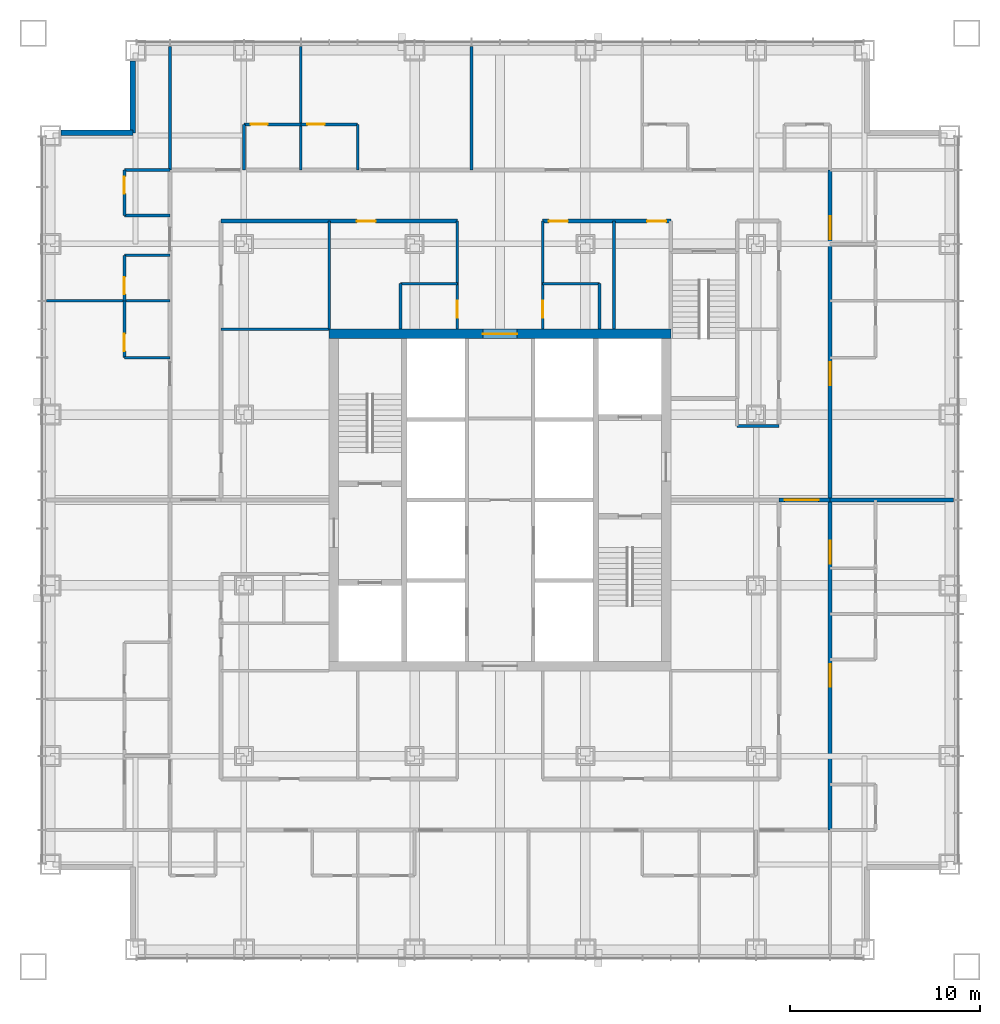
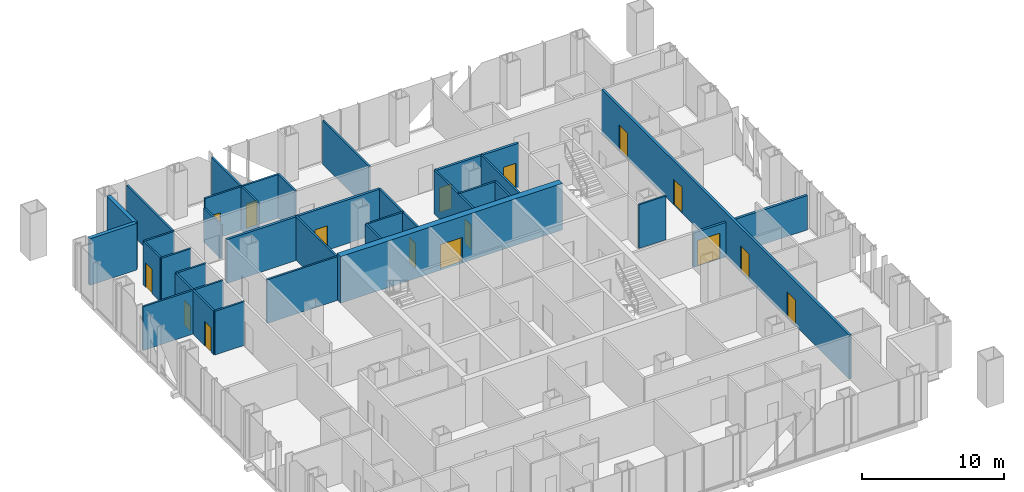
# One storey, part 11 of 18: 33 walls, 16 doors, 16 openings.
"""IFC4 building model written with IfcOpenShell, lengths in metres."""

from ifc_helpers import new_model, si_unit, direction, frame, frame_2d, origin, place, context, subcontext, project, spatial, rectangle, extrude, material, layer, layer_set, type_object, element, fill, save


model = new_model("IFC4")

# Units and contexts
model_context = context("Model", 3, precision=1e-05, world=origin(), true_north=direction((0.0, 1.0)))
body_context = subcontext(model_context, "Body", "Model", "MODEL_VIEW")
ifc_project = project(units=[si_unit("LENGTHUNIT", "METRE"), si_unit("AREAUNIT", "SQUARE_METRE"), si_unit("VOLUMEUNIT", "CUBIC_METRE"), si_unit("PLANEANGLEUNIT", "RADIAN"), si_unit("MASSUNIT", "GRAM", prefix="KILO")], contexts=[model_context])

# Site, building, storey
site_placement = place(None, origin())
site = spatial("IfcSite", under=ifc_project, at=site_placement, CompositionType="ELEMENT")
building_placement = place(site_placement, origin())
building = spatial("IfcBuilding", under=site, at=building_placement, Name="Malebo Sky Hospital", CompositionType="ELEMENT")
storey_placement = place(building_placement, frame((0.0, 0.0, 124.0)))
storey = spatial("IfcBuildingStorey", under=building, at=storey_placement, Name="L29", CompositionType="ELEMENT", Elevation=124.0)

# Wall, opening, door
ifc_material_1 = material(Name="Concrete C80/95", Category="concrete")
ifc_layer_1 = layer(ifc_material_1, 0.5)
ifc_layer_set_1 = layer_set([ifc_layer_1], Name="CORE WALL 500")
wall_type_1 = type_object("IfcWallType", Name="CORE WALL 500", PredefinedType="SHEAR", material=ifc_layer_set_1)
wall_1_placement = place(storey_placement, frame((51.0, 70.75, 0.0), z_axis=(0.0, 0.0, 1.0), x_axis=(1.0, 0.0, 0.0)))
wall_1 = element("IfcWall", 1, at=wall_1_placement, inside=storey, type_object=wall_type_1, Name="Core wall N L29", PredefinedType="SHEAR", context=body_context, shape_type="SweptSolid", body=[
    extrude(rectangle(XDim=18.0, YDim=0.5, at=frame_2d((9.0, 0.0))), origin(), (0.0, 0.0, 1.0), 4.0),
])
opening_1_placement = place(wall_1_placement, frame((8.10009765625, 0.0, 0.0)))
opening_1 = element("IfcOpeningElement", 2, at=opening_1_placement, cuts=wall_1, Name="Opening D06", PredefinedType="OPENING", context=body_context, shape_type="SweptSolid", body=[
    extrude(rectangle(XDim=1.800048828125, YDim=2.199951171875, at=frame_2d((0.89990234375, 1.10009765625))), frame((0.0, 0.260009765625, 0.0), z_axis=(0.0, -1.0, 0.0), x_axis=(1.0, 0.0, 0.0)), (0.0, 0.0, 1.0), 0.52001953125),
])
ifc_material_2 = material(Name="Hardwood-faced door leaf in steel frame", Category="steel")
door_type_1 = type_object("IfcDoorType", Name="LOBBY DOOR PAIR 1800", OperationType="DOUBLE_DOOR_SINGLE_SWING", PredefinedType="DOOR", material=ifc_material_2)
door_1_placement = place(opening_1_placement, origin())
door_1 = element("IfcDoor", 3, at=door_1_placement, inside=storey, type_object=door_type_1, Name="ward pantry door north", OperationType="DOUBLE_DOOR_SINGLE_SWING", OverallHeight=2.199951171875, OverallWidth=1.800048828125, PredefinedType="DOOR", context=body_context, shape_type="SweptSolid", body=[
    extrude(rectangle(XDim=1.800048828125, YDim=2.199951171875, at=frame_2d((0.89990234375, 1.10009765625))), frame((0.0, 0.02490234375, 0.0), z_axis=(0.0, -1.0, 0.0), x_axis=(1.0, 0.0, 0.0)), (0.0, 0.0, 1.0), 0.050048828125),
])
fill(opening_1, door_1)

ifc_material_3 = material(Name="Gypsum board on steel studs", Category="steel")
ifc_layer_2 = layer(ifc_material_3, 0.199951171875)
ifc_layer_set_2 = layer_set([ifc_layer_2], Name="CORRIDOR WALL 200")
wall_type_2 = type_object("IfcWallType", Name="CORRIDOR WALL 200", PredefinedType="PARTITIONING", material=ifc_layer_set_2)
wall_2_placement = place(storey_placement, frame((45.300048828125, 76.699951171875, 0.0), z_axis=(0.0, 0.0, 1.0), x_axis=(1.0, 0.0, 0.0)))
wall_2 = element("IfcWall", 4, at=wall_2_placement, inside=storey, type_object=wall_type_2, Name="Corridor Wall 200 NCI1", PredefinedType="PARTITIONING", context=body_context, shape_type="SweptSolid", body=[
    extrude(rectangle(XDim=12.449951171875, YDim=0.199951171875, at=frame_2d((6.22509765625, 0.0))), origin(), (0.0, 0.0, 1.0), 3.75),
])
opening_2_placement = place(wall_2_placement, frame((7.14990234375, 0.0, 0.0)))
opening_2 = element("IfcOpeningElement", 5, at=opening_2_placement, cuts=wall_2, Name="Opening D03", PredefinedType="OPENING", context=body_context, shape_type="SweptSolid", body=[
    extrude(rectangle(XDim=1.0, YDim=2.10009765625, at=frame_2d((0.5, 1.050048828125))), frame((0.0, 0.10986328125, 0.0), z_axis=(0.0, -1.0, 0.0), x_axis=(1.0, 0.0, 0.0)), (0.0, 0.0, 1.0), 0.219970703125),
])
door_type_2 = type_object("IfcDoorType", Name="ROOM DOOR 1000", OperationType="SINGLE_SWING_LEFT", PredefinedType="DOOR", material=ifc_material_2)
door_2_placement = place(opening_2_placement, origin())
door_2 = element("IfcDoor", 6, at=door_2_placement, inside=storey, type_object=door_type_2, Name="Ward pantry door", OperationType="SINGLE_SWING_LEFT", OverallHeight=2.10009765625, OverallWidth=1.0, PredefinedType="DOOR", context=body_context, shape_type="SweptSolid", body=[
    extrude(rectangle(XDim=1.0, YDim=2.10009765625, at=frame_2d((0.5, 1.050048828125))), frame((0.0, 0.02490234375, 0.0), z_axis=(0.0, -1.0, 0.0), x_axis=(1.0, 0.0, 0.0)), (0.0, 0.0, 1.0), 0.050048828125),
])
fill(opening_2, door_2)

# Wall, openings, doors
wall_3_placement = place(storey_placement, frame((62.25, 76.699951171875, 0.0), z_axis=(0.0, 0.0, 1.0), x_axis=(1.0, 0.0, 0.0)))
wall_3 = element("IfcWall", 7, at=wall_3_placement, inside=storey, type_object=wall_type_2, Name="Corridor Wall 200 NCI2", PredefinedType="PARTITIONING", context=body_context, shape_type="SweptSolid", body=[
    extrude(rectangle(XDim=6.75, YDim=0.199951171875, at=frame_2d((3.375, 0.0))), origin(), (0.0, 0.0, 1.0), 3.75),
])
opening_3_placement = place(wall_3_placement, frame((0.324951171875, 0.0, 0.0)))
opening_3 = element("IfcOpeningElement", 8, at=opening_3_placement, cuts=wall_3, Name="Opening D03", PredefinedType="OPENING", context=body_context, shape_type="SweptSolid", body=[
    extrude(rectangle(XDim=1.0, YDim=2.10009765625, at=frame_2d((0.5, 1.050048828125))), frame((0.0, 0.10986328125, 0.0), z_axis=(0.0, -1.0, 0.0), x_axis=(1.0, 0.0, 0.0)), (0.0, 0.0, 1.0), 0.219970703125),
])
opening_4_placement = place(wall_3_placement, frame((5.5, 0.0, 0.0)))
opening_4 = element("IfcOpeningElement", 9, at=opening_4_placement, cuts=wall_3, Name="Opening D03", PredefinedType="OPENING", context=body_context, shape_type="SweptSolid", body=[
    extrude(rectangle(XDim=1.0, YDim=2.10009765625, at=frame_2d((0.5, 1.050048828125))), frame((0.0, 0.10986328125, 0.0), z_axis=(0.0, -1.0, 0.0), x_axis=(1.0, 0.0, 0.0)), (0.0, 0.0, 1.0), 0.219970703125),
])
door_3_placement = place(opening_3_placement, origin())
door_3 = element("IfcDoor", 10, at=door_3_placement, inside=storey, type_object=door_type_2, Name="Medication room door", OperationType="SINGLE_SWING_LEFT", OverallHeight=2.10009765625, OverallWidth=1.0, PredefinedType="DOOR", context=body_context, shape_type="SweptSolid", body=[
    extrude(rectangle(XDim=1.0, YDim=2.10009765625, at=frame_2d((0.5, 1.050048828125))), frame((0.0, 0.02490234375, 0.0), z_axis=(0.0, -1.0, 0.0), x_axis=(1.0, 0.0, 0.0)), (0.0, 0.0, 1.0), 0.050048828125),
])
fill(opening_3, door_3)
door_4_placement = place(opening_4_placement, origin())
door_4 = element("IfcDoor", 11, at=door_4_placement, inside=storey, type_object=door_type_2, Name="Seminar room door", OperationType="SINGLE_SWING_RIGHT", OverallHeight=2.10009765625, OverallWidth=1.0, PredefinedType="DOOR", context=body_context, shape_type="SweptSolid", body=[
    extrude(rectangle(XDim=1.0, YDim=2.10009765625, at=frame_2d((0.5, 1.050048828125))), frame((0.0, 0.02490234375, 0.0), z_axis=(0.0, -1.0, 0.0), x_axis=(1.0, 0.0, 0.0)), (0.0, 0.0, 1.0), 0.050048828125),
])
fill(opening_4, door_4)

wall_4_placement = place(storey_placement, frame((77.39990234375, 79.39990234375, 0.0), z_axis=(0.0, 0.0, 1.0), x_axis=(0.0, -1.0, 0.0)))
wall_4 = element("IfcWall", 12, at=wall_4_placement, inside=storey, type_object=wall_type_2, Name="Corridor Wall 200 ECO", PredefinedType="PARTITIONING", context=body_context, shape_type="SweptSolid", body=[
    extrude(rectangle(XDim=34.7998046875, YDim=0.199951171875, at=frame_2d((17.39990234375, 0.0))), origin(), (0.0, 0.0, 1.0), 3.75),
])
opening_5_placement = place(wall_4_placement, frame((2.449951171875, 0.0, 0.0)))
opening_5 = element("IfcOpeningElement", 13, at=opening_5_placement, cuts=wall_4, Name="Opening D18", PredefinedType="OPENING", context=body_context, shape_type="SweptSolid", body=[
    extrude(rectangle(XDim=1.199951171875, YDim=2.199951171875, at=frame_2d((0.60009765625, 1.10009765625))), frame((0.0, 0.10986328125, 0.0), z_axis=(0.0, -1.0, 0.0), x_axis=(1.0, 0.0, 0.0)), (0.0, 0.0, 1.0), 0.219970703125),
])
opening_6_placement = place(wall_4_placement, frame((10.14990234375, 0.0, 0.0)))
opening_6 = element("IfcOpeningElement", 14, at=opening_6_placement, cuts=wall_4, Name="Opening D01", PredefinedType="OPENING", context=body_context, shape_type="SweptSolid", body=[
    extrude(rectangle(XDim=1.199951171875, YDim=2.199951171875, at=frame_2d((0.60009765625, 1.10009765625))), frame((0.0, 0.10986328125, 0.0), z_axis=(0.0, -1.0, 0.0), x_axis=(1.0, 0.0, 0.0)), (0.0, 0.0, 1.0), 0.219970703125),
])
opening_7_placement = place(wall_4_placement, frame((19.550048828125, 0.0, 0.0)))
opening_7 = element("IfcOpeningElement", 15, at=opening_7_placement, cuts=wall_4, Name="Opening D18", PredefinedType="OPENING", context=body_context, shape_type="SweptSolid", body=[
    extrude(rectangle(XDim=1.199951171875, YDim=2.199951171875, at=frame_2d((0.60009765625, 1.10009765625))), frame((0.0, 0.10986328125, 0.0), z_axis=(0.0, -1.0, 0.0), x_axis=(1.0, 0.0, 0.0)), (0.0, 0.0, 1.0), 0.219970703125),
])
opening_8_placement = place(wall_4_placement, frame((26.050048828125, 0.0, 0.0)))
opening_8 = element("IfcOpeningElement", 16, at=opening_8_placement, cuts=wall_4, Name="Opening D01", PredefinedType="OPENING", context=body_context, shape_type="SweptSolid", body=[
    extrude(rectangle(XDim=1.199951171875, YDim=2.199951171875, at=frame_2d((0.60009765625, 1.10009765625))), frame((0.0, 0.10986328125, 0.0), z_axis=(0.0, -1.0, 0.0), x_axis=(1.0, 0.0, 0.0)), (0.0, 0.0, 1.0), 0.219970703125),
])
door_type_3 = type_object("IfcDoorType", Name="ANTEROOM DOOR 1200", OperationType="SINGLE_SWING_LEFT", PredefinedType="DOOR", material=ifc_material_2)
door_5_placement = place(opening_5_placement, origin())
door_5 = element("IfcDoor", 17, at=door_5_placement, inside=storey, type_object=door_type_3, Name="Anteroom door", OperationType="SINGLE_SWING_RIGHT", OverallHeight=2.199951171875, OverallWidth=1.199951171875, PredefinedType="DOOR", context=body_context, shape_type="SweptSolid", body=[
    extrude(rectangle(XDim=1.199951171875, YDim=2.199951171875, at=frame_2d((0.60009765625, 1.10009765625))), frame((0.0, 0.02490234375, 0.0), z_axis=(0.0, -1.0, 0.0), x_axis=(1.0, 0.0, 0.0)), (0.0, 0.0, 1.0), 0.050048828125),
])
fill(opening_5, door_5)
door_6_placement = place(opening_7_placement, origin())
door_6 = element("IfcDoor", 18, at=door_6_placement, inside=storey, type_object=door_type_3, Name="Anteroom door", OperationType="SINGLE_SWING_RIGHT", OverallHeight=2.199951171875, OverallWidth=1.199951171875, PredefinedType="DOOR", context=body_context, shape_type="SweptSolid", body=[
    extrude(rectangle(XDim=1.199951171875, YDim=2.199951171875, at=frame_2d((0.60009765625, 1.10009765625))), frame((0.0, 0.02490234375, 0.0), z_axis=(0.0, -1.0, 0.0), x_axis=(1.0, 0.0, 0.0)), (0.0, 0.0, 1.0), 0.050048828125),
])
fill(opening_7, door_6)
door_type_4 = type_object("IfcDoorType", Name="BED DOOR 1200", OperationType="SINGLE_SWING_LEFT", PredefinedType="DOOR", material=ifc_material_2)
door_7_placement = place(opening_6_placement, origin())
door_7 = element("IfcDoor", 19, at=door_7_placement, inside=storey, type_object=door_type_4, Name="Two-bed room door", OperationType="SINGLE_SWING_LEFT", OverallHeight=2.199951171875, OverallWidth=1.199951171875, PredefinedType="DOOR", context=body_context, shape_type="SweptSolid", body=[
    extrude(rectangle(XDim=1.199951171875, YDim=2.199951171875, at=frame_2d((0.60009765625, 1.10009765625))), frame((0.0, 0.02490234375, 0.0), z_axis=(0.0, -1.0, 0.0), x_axis=(1.0, 0.0, 0.0)), (0.0, 0.0, 1.0), 0.050048828125),
])
fill(opening_6, door_7)
door_8_placement = place(opening_8_placement, origin())
door_8 = element("IfcDoor", 20, at=door_8_placement, inside=storey, type_object=door_type_4, Name="Four-bed bay door", OperationType="SINGLE_SWING_LEFT", OverallHeight=2.199951171875, OverallWidth=1.199951171875, PredefinedType="DOOR", context=body_context, shape_type="SweptSolid", body=[
    extrude(rectangle(XDim=1.199951171875, YDim=2.199951171875, at=frame_2d((0.60009765625, 1.10009765625))), frame((0.0, 0.02490234375, 0.0), z_axis=(0.0, -1.0, 0.0), x_axis=(1.0, 0.0, 0.0)), (0.0, 0.0, 1.0), 0.050048828125),
])
fill(opening_8, door_8)

# Walls
ifc_material_4 = material(Name="Anodised aluminium rainscreen on steel framing", Category="steel")
ifc_layer_3 = layer(ifc_material_4, 0.300048828125)
ifc_layer_set_3 = layer_set([ifc_layer_3], Name="NOTCH RAINSCREEN WALL 300")
wall_type_3 = type_object("IfcWallType", Name="NOTCH RAINSCREEN WALL 300", PredefinedType="ELEMENTEDWALL", material=ifc_layer_set_3)
for number, where, z_axis, x_axis, name in (
    (21, (36.85009765625, 81.35009765625, 0.0), (0.0, 0.0, 1.0), (1.0, 0.0, 0.0), "Notch rainscreen wall W1 L29"),
    (22, (40.64990234375, 81.35009765625, 0.0), (0.0, 0.0, 1.0), (0.0, 1.0, 0.0), "Notch rainscreen wall W2 L29"),
):
    element("IfcWall", number, at=place(storey_placement, frame(where, z_axis=z_axis, x_axis=x_axis)), inside=storey, type_object=wall_type_3, Name=name, PredefinedType="ELEMENTEDWALL", context=body_context, shape_type="SweptSolid", body=[
        extrude(rectangle(XDim=3.7998046875, YDim=0.300048828125, at=frame_2d((1.89990234375, 0.0))), origin(), (0.0, 0.0, 1.0), 4.0),
    ])
ifc_layer_4 = layer(ifc_material_3, 0.14990234375)
ifc_layer_set_4 = layer_set([ifc_layer_4], Name="PARTITION 150")
wall_type_4 = type_object("IfcWallType", Name="PARTITION 150", PredefinedType="PARTITIONING", material=ifc_layer_set_4)
for number, where, z_axis, x_axis, name in (
    (23, (49.5, 79.39990234375, 0.0), (0.0, 0.0, 1.0), (0.0, 1.0, 0.0), "Partition 150 NP-10.5"),
    (24, (58.5, 79.39990234375, 0.0), (0.0, 0.0, 1.0), (0.0, 1.0, 0.0), "Partition 150 NP-1.5"),
    (25, (42.60009765625, 79.39990234375, 0.0), (0.0, 0.0, 1.0), (0.0, 1.0, 0.0), "Partition 150 NP0"),
):
    element("IfcWall", number, at=place(storey_placement, frame(where, z_axis=z_axis, x_axis=x_axis)), inside=storey, type_object=wall_type_4, Name=name, PredefinedType="PARTITIONING", context=body_context, shape_type="SweptSolid", body=[
        extrude(rectangle(XDim=6.510009765625, YDim=0.14990234375, at=frame_2d((3.2548828125, 0.0))), origin(), (0.0, 0.0, 1.0), 3.75),
    ])

# Wall, opening, door
wall_5_placement = place(storey_placement, frame((46.5, 81.800048828125, 0.0), z_axis=(0.0, 0.0, 1.0), x_axis=(1.0, 0.0, 0.0)))
wall_5 = element("IfcWall", 26, at=wall_5_placement, inside=storey, type_object=wall_type_4, Name="Partition 150 NE0F", PredefinedType="PARTITIONING", context=body_context, shape_type="SweptSolid", body=[
    extrude(rectangle(XDim=3.0, YDim=0.14990234375, at=frame_2d((1.5, 0.0))), origin(), (0.0, 0.0, 1.0), 3.75),
])
opening_9_placement = place(wall_5_placement, frame((0.35009765625, 0.0, 0.0)))
opening_9 = element("IfcOpeningElement", 27, at=opening_9_placement, cuts=wall_5, Name="Opening D02", PredefinedType="OPENING", context=body_context, shape_type="SweptSolid", body=[
    extrude(rectangle(XDim=0.89990234375, YDim=2.10009765625, at=frame_2d((0.449951171875, 1.050048828125))), frame((0.0, 0.0849609375, 0.0), z_axis=(0.0, -1.0, 0.0), x_axis=(1.0, 0.0, 0.0)), (0.0, 0.0, 1.0), 0.169921875),
])
door_type_5 = type_object("IfcDoorType", Name="EN-SUITE DOOR 900", OperationType="SINGLE_SWING_LEFT", PredefinedType="DOOR", material=ifc_material_2)
door_9_placement = place(opening_9_placement, origin())
door_9 = element("IfcDoor", 28, at=door_9_placement, inside=storey, type_object=door_type_5, Name="En-suite door", OperationType="SINGLE_SWING_LEFT", OverallHeight=2.10009765625, OverallWidth=0.89990234375, PredefinedType="DOOR", context=body_context, shape_type="SweptSolid", body=[
    extrude(rectangle(XDim=0.89990234375, YDim=2.10009765625, at=frame_2d((0.449951171875, 1.050048828125))), frame((0.0, 0.02490234375, 0.0), z_axis=(0.0, -1.0, 0.0), x_axis=(1.0, 0.0, 0.0)), (0.0, 0.0, 1.0), 0.050048828125),
])
fill(opening_9, door_9)

# Wall
wall_6_placement = place(storey_placement, frame((46.5, 79.39990234375, 0.0), z_axis=(0.0, 0.0, 1.0), x_axis=(0.0, 1.0, 0.0)))
element("IfcWall", 29, at=wall_6_placement, inside=storey, type_object=wall_type_4, Name="Partition 150 NE0S", PredefinedType="PARTITIONING", context=body_context, shape_type="SweptSolid", body=[
    extrude(rectangle(XDim=2.400146484375, YDim=0.14990234375, at=frame_2d((1.2001953125, 0.0))), origin(), (0.0, 0.0, 1.0), 2.949951171875),
])

# Wall, opening, door
wall_7_placement = place(storey_placement, frame((49.5, 81.800048828125, 0.0), z_axis=(0.0, 0.0, 1.0), x_axis=(1.0, 0.0, 0.0)))
wall_7 = element("IfcWall", 30, at=wall_7_placement, inside=storey, type_object=wall_type_4, Name="Partition 150 NE1F", PredefinedType="PARTITIONING", context=body_context, shape_type="SweptSolid", body=[
    extrude(rectangle(XDim=3.0, YDim=0.14990234375, at=frame_2d((1.5, 0.0))), origin(), (0.0, 0.0, 1.0), 3.75),
])
opening_10_placement = place(wall_7_placement, frame((0.35009765625, 0.0, 0.0)))
opening_10 = element("IfcOpeningElement", 31, at=opening_10_placement, cuts=wall_7, Name="Opening D02", PredefinedType="OPENING", context=body_context, shape_type="SweptSolid", body=[
    extrude(rectangle(XDim=0.89990234375, YDim=2.10009765625, at=frame_2d((0.449951171875, 1.050048828125))), frame((0.0, 0.0849609375, 0.0), z_axis=(0.0, -1.0, 0.0), x_axis=(1.0, 0.0, 0.0)), (0.0, 0.0, 1.0), 0.169921875),
])
door_10_placement = place(opening_10_placement, origin())
door_10 = element("IfcDoor", 32, at=door_10_placement, inside=storey, type_object=door_type_5, Name="En-suite door", OperationType="SINGLE_SWING_LEFT", OverallHeight=2.10009765625, OverallWidth=0.89990234375, PredefinedType="DOOR", context=body_context, shape_type="SweptSolid", body=[
    extrude(rectangle(XDim=0.89990234375, YDim=2.10009765625, at=frame_2d((0.449951171875, 1.050048828125))), frame((0.0, 0.02490234375, 0.0), z_axis=(0.0, -1.0, 0.0), x_axis=(1.0, 0.0, 0.0)), (0.0, 0.0, 1.0), 0.050048828125),
])
fill(opening_10, door_10)

# Walls
wall_8_placement = place(storey_placement, frame((52.5, 79.39990234375, 0.0), z_axis=(0.0, 0.0, 1.0), x_axis=(0.0, 1.0, 0.0)))
element("IfcWall", 33, at=wall_8_placement, inside=storey, type_object=wall_type_4, Name="Partition 150 NE1S", PredefinedType="PARTITIONING", context=body_context, shape_type="SweptSolid", body=[
    extrude(rectangle(XDim=2.400146484375, YDim=0.14990234375, at=frame_2d((1.2001953125, 0.0))), origin(), (0.0, 0.0, 1.0), 3.75),
])
wall_9_placement = place(storey_placement, frame((51.0, 71.0, 0.0), z_axis=(0.0, 0.0, 1.0), x_axis=(0.0, 1.0, 0.0)))
element("IfcWall", 34, at=wall_9_placement, inside=storey, type_object=wall_type_4, Name="Partition 150 NSP0", PredefinedType="PARTITIONING", context=body_context, shape_type="SweptSolid", body=[
    extrude(rectangle(XDim=5.699951171875, YDim=0.14990234375, at=frame_2d((2.85009765625, 0.0))), origin(), (0.0, 0.0, 1.0), 3.75),
])

# Wall, opening, door
wall_10_placement = place(storey_placement, frame((57.75, 71.0, 0.0), z_axis=(0.0, 0.0, 1.0), x_axis=(0.0, 1.0, 0.0)))
wall_10 = element("IfcWall", 35, at=wall_10_placement, inside=storey, type_object=wall_type_4, Name="Partition 150 NSPA", PredefinedType="PARTITIONING", context=body_context, shape_type="SweptSolid", body=[
    extrude(rectangle(XDim=5.699951171875, YDim=0.14990234375, at=frame_2d((2.85009765625, 0.0))), origin(), (0.0, 0.0, 1.0), 3.75),
])
opening_11_placement = place(wall_10_placement, frame((0.60009765625, 0.0, 0.0)))
opening_11 = element("IfcOpeningElement", 36, at=opening_11_placement, cuts=wall_10, Name="Opening D04", PredefinedType="OPENING", context=body_context, shape_type="SweptSolid", body=[
    extrude(rectangle(XDim=0.89990234375, YDim=2.10009765625, at=frame_2d((0.449951171875, 1.050048828125))), frame((0.0, 0.0849609375, 0.0), z_axis=(0.0, -1.0, 0.0), x_axis=(1.0, 0.0, 0.0)), (0.0, 0.0, 1.0), 0.169921875),
])
door_type_6 = type_object("IfcDoorType", Name="ROOM DOOR 900", OperationType="SINGLE_SWING_LEFT", PredefinedType="DOOR", material=ifc_material_2)
door_11_placement = place(opening_11_placement, origin())
door_11 = element("IfcDoor", 37, at=door_11_placement, inside=storey, type_object=door_type_6, Name="Staff WC door", OperationType="SINGLE_SWING_LEFT", OverallHeight=2.10009765625, OverallWidth=0.89990234375, PredefinedType="DOOR", context=body_context, shape_type="SweptSolid", body=[
    extrude(rectangle(XDim=0.89990234375, YDim=2.10009765625, at=frame_2d((0.449951171875, 1.050048828125))), frame((0.0, 0.02490234375, 0.0), z_axis=(0.0, -1.0, 0.0), x_axis=(1.0, 0.0, 0.0)), (0.0, 0.0, 1.0), 0.050048828125),
])
fill(opening_11, door_11)

wall_11_placement = place(storey_placement, frame((62.25, 71.0, 0.0), z_axis=(0.0, 0.0, 1.0), x_axis=(0.0, 1.0, 0.0)))
wall_11 = element("IfcWall", 38, at=wall_11_placement, inside=storey, type_object=wall_type_4, Name="Partition 150 NSPB", PredefinedType="PARTITIONING", context=body_context, shape_type="SweptSolid", body=[
    extrude(rectangle(XDim=5.699951171875, YDim=0.14990234375, at=frame_2d((2.85009765625, 0.0))), origin(), (0.0, 0.0, 1.0), 3.75),
])
opening_12_placement = place(wall_11_placement, frame((0.60009765625, 0.0, 0.0)))
opening_12 = element("IfcOpeningElement", 39, at=opening_12_placement, cuts=wall_11, Name="Opening D04", PredefinedType="OPENING", context=body_context, shape_type="SweptSolid", body=[
    extrude(rectangle(XDim=0.89990234375, YDim=2.10009765625, at=frame_2d((0.449951171875, 1.050048828125))), frame((0.0, 0.0849609375, 0.0), z_axis=(0.0, -1.0, 0.0), x_axis=(1.0, 0.0, 0.0)), (0.0, 0.0, 1.0), 0.169921875),
])
door_12_placement = place(opening_12_placement, origin())
door_12 = element("IfcDoor", 40, at=door_12_placement, inside=storey, type_object=door_type_6, Name="Accessible WC door", OperationType="SINGLE_SWING_LEFT", OverallHeight=2.10009765625, OverallWidth=0.89990234375, PredefinedType="DOOR", context=body_context, shape_type="SweptSolid", body=[
    extrude(rectangle(XDim=0.89990234375, YDim=2.10009765625, at=frame_2d((0.449951171875, 1.050048828125))), frame((0.0, 0.02490234375, 0.0), z_axis=(0.0, -1.0, 0.0), x_axis=(1.0, 0.0, 0.0)), (0.0, 0.0, 1.0), 0.050048828125),
])
fill(opening_12, door_12)

# Walls
wall_12_placement = place(storey_placement, frame((66.0, 71.0, 0.0), z_axis=(0.0, 0.0, 1.0), x_axis=(0.0, 1.0, 0.0)))
element("IfcWall", 41, at=wall_12_placement, inside=storey, type_object=wall_type_4, Name="Partition 150 NSP+6.0", PredefinedType="PARTITIONING", context=body_context, shape_type="SweptSolid", body=[
    extrude(rectangle(XDim=5.699951171875, YDim=0.14990234375, at=frame_2d((2.85009765625, 0.0))), origin(), (0.0, 0.0, 1.0), 3.75),
])
wall_13_placement = place(storey_placement, frame((54.75, 73.39990234375, 0.0), z_axis=(0.0, 0.0, 1.0), x_axis=(1.0, 0.0, 0.0)))
element("IfcWall", 42, at=wall_13_placement, inside=storey, type_object=wall_type_4, Name="Partition 150 NSX0", PredefinedType="PARTITIONING", context=body_context, shape_type="SweptSolid", body=[
    extrude(rectangle(XDim=3.0, YDim=0.14990234375, at=frame_2d((1.5, 0.0))), origin(), (0.0, 0.0, 1.0), 3.75),
])
wall_14_placement = place(storey_placement, frame((54.75, 71.0, 0.0), z_axis=(0.0, 0.0, 1.0), x_axis=(0.0, 1.0, 0.0)))
element("IfcWall", 43, at=wall_14_placement, inside=storey, type_object=wall_type_4, Name="Partition 150 NSY0", PredefinedType="PARTITIONING", context=body_context, shape_type="SweptSolid", body=[
    extrude(rectangle(XDim=2.39990234375, YDim=0.14990234375, at=frame_2d((1.199951171875, 0.0))), origin(), (0.0, 0.0, 1.0), 3.75),
])
wall_15_placement = place(storey_placement, frame((62.25, 73.39990234375, 0.0), z_axis=(0.0, 0.0, 1.0), x_axis=(1.0, 0.0, 0.0)))
element("IfcWall", 44, at=wall_15_placement, inside=storey, type_object=wall_type_4, Name="Partition 150 NSX1", PredefinedType="PARTITIONING", context=body_context, shape_type="SweptSolid", body=[
    extrude(rectangle(XDim=3.0, YDim=0.14990234375, at=frame_2d((1.5, 0.0))), origin(), (0.0, 0.0, 1.0), 3.75),
])
wall_16_placement = place(storey_placement, frame((65.25, 71.0, 0.0), z_axis=(0.0, 0.0, 1.0), x_axis=(0.0, 1.0, 0.0)))
element("IfcWall", 45, at=wall_16_placement, inside=storey, type_object=wall_type_4, Name="Partition 150 NSY1", PredefinedType="PARTITIONING", context=body_context, shape_type="SweptSolid", body=[
    extrude(rectangle(XDim=2.39990234375, YDim=0.14990234375, at=frame_2d((1.199951171875, 0.0))), origin(), (0.0, 0.0, 1.0), 3.75),
])
wall_17_placement = place(storey_placement, frame((42.60009765625, 72.5, 0.0), z_axis=(0.0, 0.0, 1.0), x_axis=(-1.0, 0.0, 0.0)))
element("IfcWall", 46, at=wall_17_placement, inside=storey, type_object=wall_type_4, Name="Partition 150 WP+10.5", PredefinedType="PARTITIONING", context=body_context, shape_type="SweptSolid", body=[
    extrude(rectangle(XDim=6.510009765625, YDim=0.14990234375, at=frame_2d((3.2548828125, 0.0))), origin(), (0.0, 0.0, 1.0), 3.75),
])

# Wall, opening, door
wall_18_placement = place(storey_placement, frame((40.199951171875, 69.5, 0.0), z_axis=(0.0, 0.0, 1.0), x_axis=(0.0, 1.0, 0.0)))
wall_18 = element("IfcWall", 47, at=wall_18_placement, inside=storey, type_object=wall_type_4, Name="Partition 150 WE2F", PredefinedType="PARTITIONING", context=body_context, shape_type="SweptSolid", body=[
    extrude(rectangle(XDim=3.0, YDim=0.14990234375, at=frame_2d((1.5, 0.0))), origin(), (0.0, 0.0, 1.0), 3.75),
])
opening_13_placement = place(wall_18_placement, frame((0.35009765625, 0.0, 0.0)))
opening_13 = element("IfcOpeningElement", 48, at=opening_13_placement, cuts=wall_18, Name="Opening D02", PredefinedType="OPENING", context=body_context, shape_type="SweptSolid", body=[
    extrude(rectangle(XDim=0.89990234375, YDim=2.10009765625, at=frame_2d((0.449951171875, 1.050048828125))), frame((0.0, 0.0849609375, 0.0), z_axis=(0.0, -1.0, 0.0), x_axis=(1.0, 0.0, 0.0)), (0.0, 0.0, 1.0), 0.169921875),
])
door_13_placement = place(opening_13_placement, origin())
door_13 = element("IfcDoor", 49, at=door_13_placement, inside=storey, type_object=door_type_5, Name="En-suite door", OperationType="SINGLE_SWING_LEFT", OverallHeight=2.10009765625, OverallWidth=0.89990234375, PredefinedType="DOOR", context=body_context, shape_type="SweptSolid", body=[
    extrude(rectangle(XDim=0.89990234375, YDim=2.10009765625, at=frame_2d((0.449951171875, 1.050048828125))), frame((0.0, 0.02490234375, 0.0), z_axis=(0.0, -1.0, 0.0), x_axis=(1.0, 0.0, 0.0)), (0.0, 0.0, 1.0), 0.050048828125),
])
fill(opening_13, door_13)

# Wall
wall_19_placement = place(storey_placement, frame((42.60009765625, 69.5, 0.0), z_axis=(0.0, 0.0, 1.0), x_axis=(-1.0, 0.0, 0.0)))
element("IfcWall", 50, at=wall_19_placement, inside=storey, type_object=wall_type_4, Name="Partition 150 WE2S", PredefinedType="PARTITIONING", context=body_context, shape_type="SweptSolid", body=[
    extrude(rectangle(XDim=2.400146484375, YDim=0.14990234375, at=frame_2d((1.2001953125, 0.0))), origin(), (0.0, 0.0, 1.0), 3.75),
])

# Wall, opening, door
wall_20_placement = place(storey_placement, frame((40.199951171875, 72.5, 0.0), z_axis=(0.0, 0.0, 1.0), x_axis=(0.0, 1.0, 0.0)))
wall_20 = element("IfcWall", 51, at=wall_20_placement, inside=storey, type_object=wall_type_4, Name="Partition 150 WE3F", PredefinedType="PARTITIONING", context=body_context, shape_type="SweptSolid", body=[
    extrude(rectangle(XDim=2.39990234375, YDim=0.14990234375, at=frame_2d((1.199951171875, 0.0))), origin(), (0.0, 0.0, 1.0), 3.75),
])
opening_14_placement = place(wall_20_placement, frame((0.35009765625, 0.0, 0.0)))
opening_14 = element("IfcOpeningElement", 52, at=opening_14_placement, cuts=wall_20, Name="Opening D02", PredefinedType="OPENING", context=body_context, shape_type="SweptSolid", body=[
    extrude(rectangle(XDim=0.89990234375, YDim=2.10009765625, at=frame_2d((0.449951171875, 1.050048828125))), frame((0.0, 0.0849609375, 0.0), z_axis=(0.0, -1.0, 0.0), x_axis=(1.0, 0.0, 0.0)), (0.0, 0.0, 1.0), 0.169921875),
])
door_14_placement = place(opening_14_placement, origin())
door_14 = element("IfcDoor", 53, at=door_14_placement, inside=storey, type_object=door_type_5, Name="En-suite door", OperationType="SINGLE_SWING_LEFT", OverallHeight=2.10009765625, OverallWidth=0.89990234375, PredefinedType="DOOR", context=body_context, shape_type="SweptSolid", body=[
    extrude(rectangle(XDim=0.89990234375, YDim=2.10009765625, at=frame_2d((0.449951171875, 1.050048828125))), frame((0.0, 0.02490234375, 0.0), z_axis=(0.0, -1.0, 0.0), x_axis=(1.0, 0.0, 0.0)), (0.0, 0.0, 1.0), 0.050048828125),
])
fill(opening_14, door_14)

# Wall
wall_21_placement = place(storey_placement, frame((42.60009765625, 74.89990234375, 0.0), z_axis=(0.0, 0.0, 1.0), x_axis=(-1.0, 0.0, 0.0)))
element("IfcWall", 54, at=wall_21_placement, inside=storey, type_object=wall_type_4, Name="Partition 150 WE3S", PredefinedType="PARTITIONING", context=body_context, shape_type="SweptSolid", body=[
    extrude(rectangle(XDim=2.400146484375, YDim=0.14990234375, at=frame_2d((1.2001953125, 0.0))), origin(), (0.0, 0.0, 1.0), 3.75),
])

# Wall, opening, door
wall_22_placement = place(storey_placement, frame((40.199951171875, 77.0, 0.0), z_axis=(0.0, 0.0, 1.0), x_axis=(0.0, 1.0, 0.0)))
wall_22 = element("IfcWall", 55, at=wall_22_placement, inside=storey, type_object=wall_type_4, Name="Partition 150 WG3F", PredefinedType="PARTITIONING", context=body_context, shape_type="SweptSolid", body=[
    extrude(rectangle(XDim=2.39990234375, YDim=0.14990234375, at=frame_2d((1.199951171875, 0.0))), origin(), (0.0, 0.0, 1.0), 3.75),
])
opening_15_placement = place(wall_22_placement, frame((1.14990234375, 0.0, 0.0)))
opening_15 = element("IfcOpeningElement", 56, at=opening_15_placement, cuts=wall_22, Name="Opening D02", PredefinedType="OPENING", context=body_context, shape_type="SweptSolid", body=[
    extrude(rectangle(XDim=0.89990234375, YDim=2.10009765625, at=frame_2d((0.449951171875, 1.050048828125))), frame((0.0, 0.0849609375, 0.0), z_axis=(0.0, -1.0, 0.0), x_axis=(1.0, 0.0, 0.0)), (0.0, 0.0, 1.0), 0.169921875),
])
door_15_placement = place(opening_15_placement, origin())
door_15 = element("IfcDoor", 57, at=door_15_placement, inside=storey, type_object=door_type_5, Name="En-suite door", OperationType="SINGLE_SWING_RIGHT", OverallHeight=2.10009765625, OverallWidth=0.89990234375, PredefinedType="DOOR", context=body_context, shape_type="SweptSolid", body=[
    extrude(rectangle(XDim=0.89990234375, YDim=2.10009765625, at=frame_2d((0.449951171875, 1.050048828125))), frame((0.0, 0.02490234375, 0.0), z_axis=(0.0, -1.0, 0.0), x_axis=(1.0, 0.0, 0.0)), (0.0, 0.0, 1.0), 0.050048828125),
])
fill(opening_15, door_15)

# Walls
for number, where, z_axis, x_axis, name in (
    (58, (42.60009765625, 77.0, 0.0), (0.0, 0.0, 1.0), (-1.0, 0.0, 0.0), "Partition 150 WG3S"),
    (59, (42.60009765625, 79.39990234375, 0.0), (0.0, 0.0, 1.0), (-1.0, 0.0, 0.0), "Partition 150 WEZ"),
):
    element("IfcWall", number, at=place(storey_placement, frame(where, z_axis=z_axis, x_axis=x_axis)), inside=storey, type_object=wall_type_4, Name=name, PredefinedType="PARTITIONING", context=body_context, shape_type="SweptSolid", body=[
        extrude(rectangle(XDim=2.400146484375, YDim=0.14990234375, at=frame_2d((1.2001953125, 0.0))), origin(), (0.0, 0.0, 1.0), 3.75),
    ])
wall_23_placement = place(storey_placement, frame((51.0, 71.0, 0.0), z_axis=(0.0, 0.0, 1.0), x_axis=(-1.0, 0.0, 0.0)))
element("IfcWall", 60, at=wall_23_placement, inside=storey, type_object=wall_type_4, Name="Partition 150 WSP+9.0", PredefinedType="PARTITIONING", context=body_context, shape_type="SweptSolid", body=[
    extrude(rectangle(XDim=5.699951171875, YDim=0.14990234375, at=frame_2d((2.85009765625, 0.0))), origin(), (0.0, 0.0, 1.0), 3.75),
])
wall_24_placement = place(storey_placement, frame((72.5, 65.89990234375, 0.0), z_axis=(0.0, 0.0, 1.0), x_axis=(1.0, 0.0, 0.0)))
element("IfcWall", 61, at=wall_24_placement, inside=storey, type_object=wall_type_4, Name="Partition 150 ESPA", PredefinedType="PARTITIONING", context=body_context, shape_type="SweptSolid", body=[
    extrude(rectangle(XDim=2.199951171875, YDim=0.14990234375, at=frame_2d((1.10009765625, 0.0))), origin(), (0.0, 0.0, 1.0), 3.75),
])
ifc_material_5 = material(Name="Concrete blockwork", Category="masonry")
ifc_layer_5 = layer(ifc_material_5, 0.199951171875)
ifc_layer_set_5 = layer_set([ifc_layer_5], Name="SMOKE BARRIER WALL 200")
wall_type_5 = type_object("IfcWallType", Name="SMOKE BARRIER WALL 200", PredefinedType="SOLIDWALL", material=ifc_layer_set_5)
wall_25_placement = place(storey_placement, frame((77.39990234375, 62.0, 0.0), z_axis=(0.0, 0.0, 1.0), x_axis=(1.0, 0.0, 0.0)))
element("IfcWall", 62, at=wall_25_placement, inside=storey, type_object=wall_type_5, Name="Smoke Barrier Wall 200 EP+0.0", PredefinedType="SOLIDWALL", context=body_context, shape_type="SweptSolid", body=[
    extrude(rectangle(XDim=6.510009765625, YDim=0.199951171875, at=frame_2d((3.2548828125, 0.0))), origin(), (0.0, 0.0, 1.0), 2.949951171875),
])

# Wall, opening, door
wall_26_placement = place(storey_placement, frame((74.699951171875, 62.0, 0.0), z_axis=(0.0, 0.0, 1.0), x_axis=(1.0, 0.0, 0.0)))
wall_26 = element("IfcWall", 63, at=wall_26_placement, inside=storey, type_object=wall_type_5, Name="Smoke Barrier Wall 200 ESB", PredefinedType="SOLIDWALL", context=body_context, shape_type="SweptSolid", body=[
    extrude(rectangle(XDim=2.699951171875, YDim=0.199951171875, at=frame_2d((1.35009765625, 0.0))), origin(), (0.0, 0.0, 1.0), 2.949951171875),
])
opening_16_placement = place(wall_26_placement, frame((0.300048828125, 0.0, 0.0)))
opening_16 = element("IfcOpeningElement", 64, at=opening_16_placement, cuts=wall_26, Name="Opening D05", PredefinedType="OPENING", context=body_context, shape_type="SweptSolid", body=[
    extrude(rectangle(XDim=1.800048828125, YDim=2.199951171875, at=frame_2d((0.89990234375, 1.10009765625))), frame((0.0, 0.10986328125, 0.0), z_axis=(0.0, -1.0, 0.0), x_axis=(1.0, 0.0, 0.0)), (0.0, 0.0, 1.0), 0.219970703125),
])
door_type_7 = type_object("IfcDoorType", Name="SMOKE DOOR PAIR 1800", OperationType="DOUBLE_DOOR_DOUBLE_SWING", PredefinedType="DOOR", material=ifc_material_2)
door_16_placement = place(opening_16_placement, origin())
door_16 = element("IfcDoor", 65, at=door_16_placement, inside=storey, type_object=door_type_7, Name="Smoke compartment door pair", OperationType="DOUBLE_DOOR_DOUBLE_SWING", OverallHeight=2.199951171875, OverallWidth=1.800048828125, PredefinedType="DOOR", context=body_context, shape_type="SweptSolid", body=[
    extrude(rectangle(XDim=1.800048828125, YDim=2.199951171875, at=frame_2d((0.89990234375, 1.10009765625))), frame((0.0, 0.02490234375, 0.0), z_axis=(0.0, -1.0, 0.0), x_axis=(1.0, 0.0, 0.0)), (0.0, 0.0, 1.0), 0.050048828125),
])
fill(opening_16, door_16)

save(model, "model.ifc")
